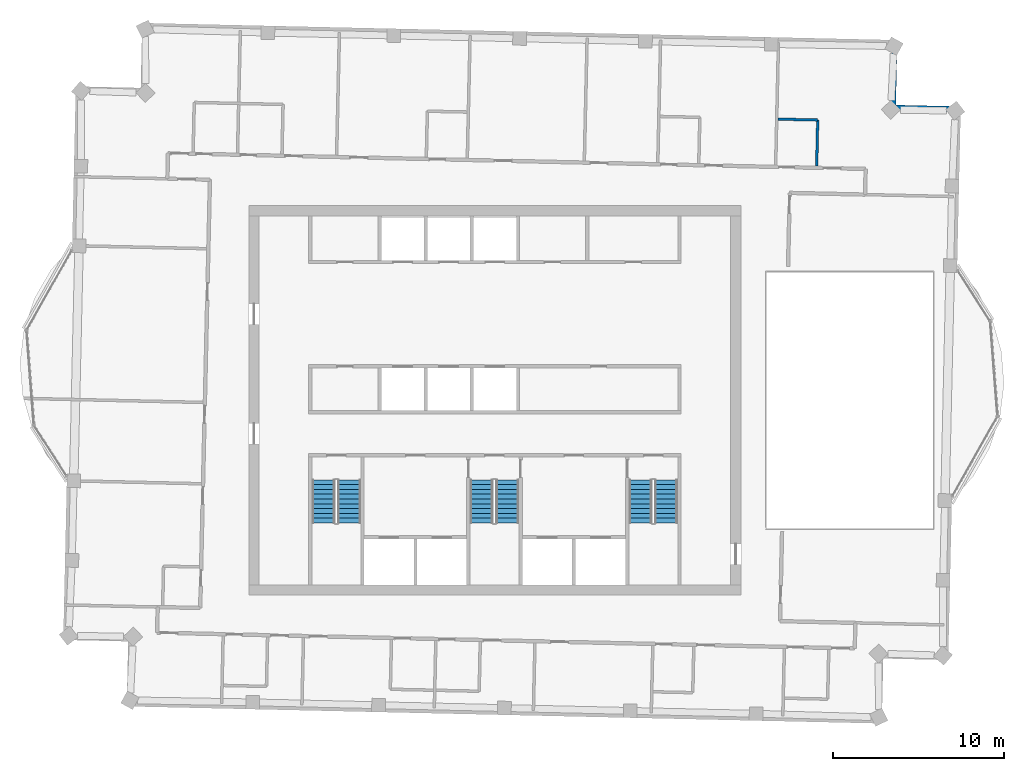
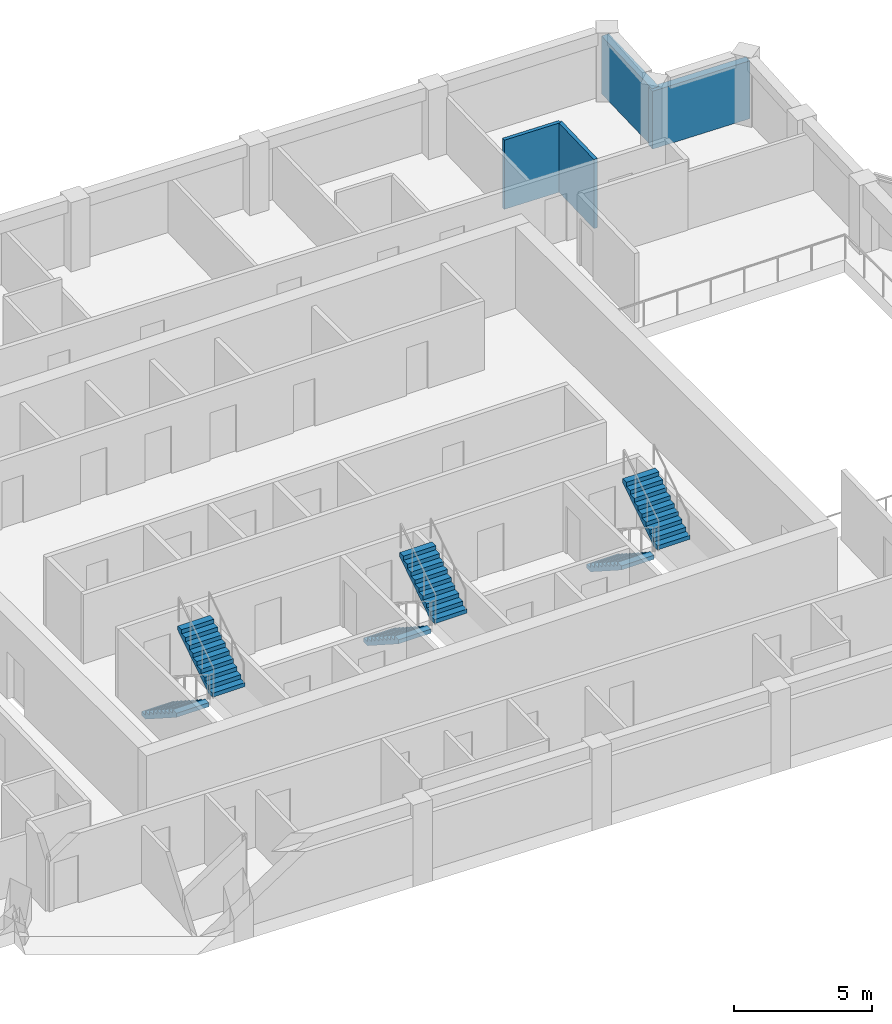
# One storey, part 10 of 12: 6 stair flights, 4 walls, 3 elements without a shape of their own.
"""IFC4 building model written with IfcOpenShell, lengths in metres."""

import ifcopenshell
import ifcopenshell.guid

model = None  # the IFC model being written
_history = None  # IfcOwnerHistory: only IFC2X3 demands one
_inside = {}  # id of a spatial element -> (the spatial element, [elements in it])
_under = {}  # id of a project, library or spatial element -> (it, [spatial elements below it])
_declared = {}  # id of a project -> (the project, [libraries it declares])
_typed = {}  # id of a type object -> (the type object, [elements of that type])
_made_of = {}  # id of a material, layer set ... -> (it, [elements and type objects made of it])


def new_model(schema):
    """Start an empty IFC model of exactly this schema.

    Asked for "IFC4X3", IfcOpenShell would pick the latest addendum, in which some entities
    have other attributes; the version numbers below select the first issue.
    IFC2X3 requires an IfcOwnerHistory on every rooted entity: one is made here for all.
    """
    global model, _history
    if schema == "IFC4X3":
        model = ifcopenshell.file(schema_version=(4, 3, 0, 0))
    else:
        model = ifcopenshell.file(schema=schema)
    _inside.clear()
    _under.clear()
    _declared.clear()
    _typed.clear()
    _made_of.clear()
    _history = None
    if model.schema == "IFC2X3":
        org = make("IfcOrganization", Name="unknown")
        user = make(
            "IfcPersonAndOrganization",
            ThePerson=make("IfcPerson", FamilyName="unknown"),
            TheOrganization=org,
        )
        app = make(
            "IfcApplication",
            ApplicationDeveloper=org,
            Version="unknown",
            ApplicationFullName="unknown",
            ApplicationIdentifier="unknown",
        )
        _history = make(
            "IfcOwnerHistory",
            OwningUser=user,
            OwningApplication=app,
            ChangeAction="ADDED",
            CreationDate=0,
        )
    return model


def make(cls, **values):
    """One entity of the class cls with the attributes given. An attribute that is None is left unset."""
    return model.create_entity(
        cls, **{name: value for name, value in values.items() if value is not None}
    )


def rooted(cls, **values):
    """An entity with a GlobalId (a new one), such as an element, a storey or a relation."""
    return make(cls, GlobalId=ifcopenshell.guid.new(), OwnerHistory=_history, **values)


def si_unit(unit_type, name, prefix=None):
    """IfcSIUnit, for example si_unit("LENGTHUNIT", "METRE", prefix="MILLI")."""
    return make("IfcSIUnit", UnitType=unit_type, Prefix=prefix, Name=name)


def assignment(units):
    """IfcUnitAssignment: the units of a project."""
    return None if units is None else make("IfcUnitAssignment", Units=units)


def point(xyz):
    """IfcCartesianPoint."""
    return None if xyz is None else make("IfcCartesianPoint", Coordinates=xyz)


def direction(xyz):
    """IfcDirection."""
    return None if xyz is None else make("IfcDirection", DirectionRatios=xyz)


def frame(location, z_axis=None, x_axis=None):
    """IfcAxis2Placement3D, a coordinate frame: its origin and axes. An axis left out is left unset."""
    return make(
        "IfcAxis2Placement3D",
        Location=point(location),
        Axis=direction(z_axis),
        RefDirection=direction(x_axis),
    )


def frame_2d(location, x_axis=None):
    """IfcAxis2Placement2D, a coordinate frame in the plane: its origin and x axis."""
    return make(
        "IfcAxis2Placement2D", Location=point(location), RefDirection=direction(x_axis)
    )


def origin():
    """The frame at (0, 0, 0) with its axes left unset."""
    return frame((0.0, 0.0, 0.0))


def place(relative_to, where):
    """IfcLocalPlacement: puts the frame where relative to a parent placement (None: the world)."""
    return make(
        "IfcLocalPlacement", PlacementRelTo=relative_to, RelativePlacement=where
    )


def context(
    kind, dimensions, precision=None, world=None, true_north=None, identifier=None
):
    """IfcGeometricRepresentationContext, for example the 3D "Model" context."""
    return make(
        "IfcGeometricRepresentationContext",
        ContextIdentifier=identifier,
        ContextType=kind,
        CoordinateSpaceDimension=dimensions,
        Precision=precision,
        WorldCoordinateSystem=world,
        TrueNorth=true_north,
    )


def subcontext(parent, identifier, kind, view, scale=None):
    """IfcGeometricRepresentationSubContext, for example "Body" below "Model"."""
    return make(
        "IfcGeometricRepresentationSubContext",
        ContextIdentifier=identifier,
        ContextType=kind,
        ParentContext=parent,
        TargetScale=scale,
        TargetView=view,
    )


def project(units=None, contexts=None):
    """IfcProject with its units and contexts."""
    return rooted(
        "IfcProject",
        Name="project",
        RepresentationContexts=contexts,
        UnitsInContext=assignment(units),
    )


def spatial(cls, under=None, at=None, **own):
    """A site, building, storey or space (cls), placed at a placement, below another one or the project."""
    s = rooted(cls, ObjectPlacement=at, **own)
    if under is not None:
        _under.setdefault(under.id(), (under, []))[1].append(s)
    return s


def polyline(points):
    """IfcPolyline through the points."""
    return make("IfcPolyline", Points=[point(p) for p in points])


def profile(cls, at=None, kind="AREA", **sizes):
    """A parametric profile (cls). Its sizes go by their IFC names, for example OverallWidth=200.0."""
    return make(cls, ProfileType=kind, Position=at, **sizes)


def rectangle(**sizes):
    """IfcRectangleProfileDef."""
    return profile("IfcRectangleProfileDef", **sizes)


def outline(outer, holes=None, kind="AREA"):
    """IfcArbitraryClosedProfileDef: a profile drawn as a closed curve; with holes, ...WithVoids."""
    if holes is None:
        return make("IfcArbitraryClosedProfileDef", ProfileType=kind, OuterCurve=outer)
    return make(
        "IfcArbitraryProfileDefWithVoids",
        ProfileType=kind,
        OuterCurve=outer,
        InnerCurves=holes,
    )


def extrude(swept, where, along, depth):
    """IfcExtrudedAreaSolid: the profile swept, set in the frame where, extruded along a direction by depth."""
    return make(
        "IfcExtrudedAreaSolid",
        SweptArea=swept,
        Position=where,
        ExtrudedDirection=direction(along),
        Depth=depth,
    )


def shape(context_of_items, identifier, shape_type, items):
    """IfcShapeRepresentation: the items that make up one representation, for example the "Body"."""
    return make(
        "IfcShapeRepresentation",
        ContextOfItems=context_of_items,
        RepresentationIdentifier=identifier,
        RepresentationType=shape_type,
        Items=items,
    )


def material(Name=None, Category=None):
    """IfcMaterial."""
    return make("IfcMaterial", Name=Name, Category=Category)


def layer(
    of_material, thickness, ventilated=None, Name=None, Category=None, Priority=None
):
    """IfcMaterialLayer: one layer of a wall or slab, of a material (None: an air gap)."""
    return make(
        "IfcMaterialLayer",
        Material=of_material,
        LayerThickness=thickness,
        IsVentilated=ventilated,
        Name=Name,
        Category=Category,
        Priority=Priority,
    )


def layer_set(layers, Name=None):
    """IfcMaterialLayerSet."""
    return make("IfcMaterialLayerSet", MaterialLayers=layers, LayerSetName=Name)


def made_of(thing, what):
    """Note that an element or type object is made of a material, layer set ...; save() writes the relation."""
    if what is not None:
        _made_of.setdefault(what.id(), (what, []))[1].append(thing)
    return thing


def type_object(cls, material=None, **own):
    """A type object (cls), such as IfcWallType, which elements share."""
    return made_of(rooted(cls, **own), material)


def element(
    cls,
    number,
    at=None,
    inside=None,
    cuts=None,
    type_object=None,
    material=None,
    context=None,
    identifier="Body",
    shape_type=None,
    held_by="IfcProductDefinitionShape",
    body=None,
    shapes=None,
    **own,
):
    """One element of the class cls, such as IfcWall. Its Tag is "e" and its number.

    at: its placement. inside: the storey or other place that contains it. cuts: it is an
    opening in that element (IfcRelVoidsElement). A single representation is given by context,
    identifier, shape_type and body (its items); several are given by shapes. held_by: the class
    of the entity that holds the representations. save() writes the other relations.
    """
    e = rooted(cls, Tag="e%d" % number, ObjectPlacement=at, **own)
    if body is not None:
        shapes = [shape(context, identifier, shape_type, body)]
    if shapes is not None:
        e.Representation = make(held_by, Representations=shapes)
    if inside is not None:
        _inside.setdefault(inside.id(), (inside, []))[1].append(e)
    if cuts is not None:
        rooted(
            "IfcRelVoidsElement", RelatingBuildingElement=cuts, RelatedOpeningElement=e
        )
    if type_object is not None:
        _typed.setdefault(type_object.id(), (type_object, []))[1].append(e)
    return made_of(e, material)


def aggregate(whole, parts):
    """IfcRelAggregates: a whole, such as a stair, and the parts it consists of."""
    return rooted("IfcRelAggregates", RelatingObject=whole, RelatedObjects=parts)


def save(model, path):
    """Write the relations noted so far, then the file.

    IfcRelAggregates (storeys below a building ...), IfcRelContainedInSpatialStructure (elements
    in a storey), IfcRelDefinesByType, IfcRelAssociatesMaterial and IfcRelDeclares: one each for
    every whole, place, type object, material and project.
    """
    for whole, parts in _under.values():
        aggregate(whole, parts)
    for where, things in _inside.values():
        rooted(
            "IfcRelContainedInSpatialStructure",
            RelatedElements=things,
            RelatingStructure=where,
        )
    for kind, things in _typed.values():
        rooted("IfcRelDefinesByType", RelatedObjects=things, RelatingType=kind)
    for what, things in _made_of.values():
        rooted("IfcRelAssociatesMaterial", RelatedObjects=things, RelatingMaterial=what)
    for by, libraries in _declared.values():
        rooted("IfcRelDeclares", RelatingContext=by, RelatedDefinitions=libraries)
    model.write(path)


model = new_model("IFC4")

# Units and contexts
model_context = context("Model", 3, precision=1e-05, world=origin(), true_north=direction((0.0, 1.0)))
body_context = subcontext(model_context, "Body", "Model", "MODEL_VIEW")
ifc_project = project(units=[si_unit("LENGTHUNIT", "METRE"), si_unit("AREAUNIT", "SQUARE_METRE"), si_unit("VOLUMEUNIT", "CUBIC_METRE"), si_unit("PLANEANGLEUNIT", "RADIAN"), si_unit("MASSUNIT", "GRAM", prefix="KILO")], contexts=[model_context])

# Site, building, storey
site_placement = place(None, origin())
site = spatial("IfcSite", under=ifc_project, at=site_placement, CompositionType="ELEMENT")
building_placement = place(site_placement, origin())
building = spatial("IfcBuilding", under=site, at=building_placement, Name="Mangrove Gate Tower", CompositionType="ELEMENT")
storey_placement = place(building_placement, frame((0.0, 0.0, 342.5)))
storey = spatial("IfcBuildingStorey", under=building, at=storey_placement, Name="L87", CompositionType="ELEMENT", Elevation=342.5)

# Walls
ifc_material_1 = material(Name="Limestone", Category="masonry")
ifc_layer_1 = layer(ifc_material_1, 0.0400390625, Name="Limestone cladding")
ifc_material_2 = material(Name="Ventilated air gap")
ifc_layer_2 = layer(ifc_material_2, 0.0400390625, Name="Ventilated cavity")
ifc_material_3 = material(Name="Mineral wool insulation")
ifc_layer_3 = layer(ifc_material_3, 0.06005859375, Name="Insulation")
ifc_material_4 = material(Name="Breather membrane")
ifc_layer_4 = layer(ifc_material_4, 0.001953125, Name="Breather membrane")
ifc_material_5 = material(Name="Concrete C20/25 blockwork", Category="masonry")
ifc_layer_5 = layer(ifc_material_5, 0.14990234375, Name="Blockwork backing wall")
ifc_material_6 = material(Name="Gypsum plaster")
ifc_layer_6 = layer(ifc_material_6, 0.008056640625, Name="Internal plaster")
ifc_layer_set_1 = layer_set([ifc_layer_1, ifc_layer_2, ifc_layer_3, ifc_layer_4, ifc_layer_5, ifc_layer_6], Name="External wall 300 limestone cladding")
wall_type_1 = type_object("IfcWallType", Name="External wall 300 limestone cladding", PredefinedType="SOLIDWALL", material=ifc_layer_set_1)
wall_1_placement = place(storey_placement, frame((27.10693359375, 17.052978515625, 0.0), z_axis=(0.0, 0.0, 1.0), x_axis=(-0.999741835545, 0.022721405353, 0.0)))
element("IfcWall", 1, at=wall_1_placement, inside=storey, type_object=wall_type_1, Name="WALL-L87-N3s1", PredefinedType="SOLIDWALL", context=body_context, shape_type="SweptSolid", body=[
    extrude(rectangle(XDim=4.0078125, YDim=0.300048828125, at=frame_2d((2.00390625, 0.0))), origin(), (0.0, 0.0, 1.0), 2.550048828125),
])
wall_2_placement = place(storey_placement, frame((23.30810546875, 17.138916015625, 0.0), z_axis=(0.0, 0.0, 1.0), x_axis=(0.022614868993, 0.999744251146, 0.0)))
element("IfcWall", 2, at=wall_2_placement, inside=storey, type_object=wall_type_1, Name="WALL-L87-E4", PredefinedType="SOLIDWALL", context=body_context, shape_type="SweptSolid", body=[
    extrude(rectangle(XDim=3.800048828125, YDim=0.300048828125, at=frame_2d((1.89990234375, 0.0))), origin(), (0.0, 0.0, 1.0), 2.550048828125),
])
ifc_material_7 = material(Name="Gypsum board on steel stud, EI 60", Category="steel")
ifc_layer_7 = layer(ifc_material_7, 0.14990234375)
ifc_layer_set_2 = layer_set([ifc_layer_7], Name="Party wall 150 EI 60")
wall_type_2 = type_object("IfcWallType", Name="Party wall 150 EI 60", PredefinedType="PARTITIONING", material=ifc_layer_set_2)
wall_3_placement = place(storey_placement, frame((18.8291015625, 13.714111328125, 0.0), z_axis=(0.0, 0.0, 1.0), x_axis=(0.022518033722, 0.999746436932, 0.0)))
element("IfcWall", 3, at=wall_3_placement, inside=storey, type_object=wall_type_2, Name="WALL-L87-048", PredefinedType="PARTITIONING", context=body_context, shape_type="SweptSolid", body=[
    extrude(rectangle(XDim=2.69970703125, YDim=0.14990234375, at=frame_2d((1.349853515625, 0.0))), origin(), (0.0, 0.0, 1.0), 3.050048828125),
])
wall_4_placement = place(storey_placement, frame((16.56591796875, 16.4619140625, 0.0), z_axis=(0.0, 0.0, 1.0), x_axis=(0.999740260747, -0.02279059109, 0.0)))
element("IfcWall", 4, at=wall_4_placement, inside=storey, type_object=wall_type_2, Name="WALL-L87-051", PredefinedType="PARTITIONING", context=body_context, shape_type="SweptSolid", body=[
    extrude(rectangle(XDim=2.324462890625, YDim=0.14990234375, at=frame_2d((1.162109375, 0.0))), origin(), (0.0, 0.0, 1.0), 3.050048828125),
])

# Stair, stair flights
ifc_material_8 = material(Name="Concrete C40/50", Category="concrete")
stair_type = type_object("IfcStairType", Name="Core stair 1350", PredefinedType="HALF_TURN_STAIR", material=ifc_material_8)
stair_1_placement = place(storey_placement, origin())
stair_1 = element("IfcStair", 5, at=stair_1_placement, inside=storey, type_object=stair_type, Name="L87 Stair 1", PredefinedType="HALF_TURN_STAIR")
ifc_material_9 = material(Name="Concrete C40/50", Category="concrete")
stair_flight_type = type_object("IfcStairFlightType", Name="Core stair flight 1350", PredefinedType="STRAIGHT", material=ifc_material_9)
stair_flight_1_placement = place(storey_placement, frame((-10.02490234375, -4.64990234375, 0.0), z_axis=(0.0, 0.0, 1.0), x_axis=(0.0, -1.0, 0.0)))
stair_flight_1 = element("IfcStairFlight", 6, at=stair_flight_1_placement, type_object=stair_flight_type, Name="ST1 flight 1", NumberOfRisers=10, NumberOfTreads=9, PredefinedType="STRAIGHT", RiserHeight=0.18, TreadLength=0.28, context=body_context, shape_type="SweptSolid", body=[
    extrude(outline(polyline([(0.0, 0.0), (0.0, 0.179931640625), (0.280029296875, 0.179931640625), (0.280029296875, 0.360107421875), (0.56005859375, 0.360107421875), (0.56005859375, 0.5400390625), (0.840087890625, 0.5400390625), (0.840087890625, 0.719970703125), (1.1201171875, 0.719970703125), (1.1201171875, 0.89990234375), (1.39990234375, 0.89990234375), (1.39990234375, 1.080078125), (1.679931640625, 1.080078125), (1.679931640625, 1.260009765625), (1.9599609375, 1.260009765625), (1.9599609375, 1.43994140625), (2.239990234375, 1.43994140625), (2.239990234375, 1.6201171875), (2.52001953125, 1.6201171875), (2.52001953125, 1.800048828125), (2.52001953125, 1.44189453125), (0.277099609375, 0.0), (0.0, 0.0)])), frame((0.0, 0.675048828125, 0.0), z_axis=(0.0, -1.0, 0.0), x_axis=(1.0, 0.0, 0.0)), (0.0, 0.0, 1.0), 1.35009765625),
])
stair_flight_2_placement = place(storey_placement, frame((-8.52490234375, -7.169921875, 1.800048828125), z_axis=(0.0, 0.0, 1.0), x_axis=(0.0, 1.0, 0.0)))
stair_flight_2 = element("IfcStairFlight", 7, at=stair_flight_2_placement, type_object=stair_flight_type, Name="ST1 flight 2", NumberOfRisers=10, NumberOfTreads=9, PredefinedType="STRAIGHT", RiserHeight=0.18, TreadLength=0.28, context=body_context, shape_type="SweptSolid", body=[
    extrude(outline(polyline([(0.0, 0.0), (0.0, 0.179931640625), (0.280029296875, 0.179931640625), (0.280029296875, 0.360107421875), (0.56005859375, 0.360107421875), (0.56005859375, 0.5400390625), (0.840087890625, 0.5400390625), (0.840087890625, 0.719970703125), (1.1201171875, 0.719970703125), (1.1201171875, 0.89990234375), (1.39990234375, 0.89990234375), (1.39990234375, 1.080078125), (1.679931640625, 1.080078125), (1.679931640625, 1.260009765625), (1.9599609375, 1.260009765625), (1.9599609375, 1.43994140625), (2.239990234375, 1.43994140625), (2.239990234375, 1.6201171875), (2.52001953125, 1.6201171875), (2.52001953125, 1.800048828125), (2.52001953125, 1.44189453125), (0.277099609375, 0.0), (0.0, 0.0)])), frame((0.0, 0.675048828125, 0.0), z_axis=(0.0, -1.0, 0.0), x_axis=(1.0, 0.0, 0.0)), (0.0, 0.0, 1.0), 1.35009765625),
])
aggregate(stair_1, [stair_flight_1, stair_flight_2])

stair_2_placement = place(storey_placement, origin())
stair_2 = element("IfcStair", 8, at=stair_2_placement, inside=storey, type_object=stair_type, Name="L87 Stair 2", PredefinedType="HALF_TURN_STAIR")
stair_flight_3_placement = place(storey_placement, frame((-0.77490234375, -4.64990234375, 0.0), z_axis=(0.0, 0.0, 1.0), x_axis=(0.0, -1.0, 0.0)))
stair_flight_3 = element("IfcStairFlight", 9, at=stair_flight_3_placement, type_object=stair_flight_type, Name="ST2 flight 1", NumberOfRisers=10, NumberOfTreads=9, PredefinedType="STRAIGHT", RiserHeight=0.18, TreadLength=0.28, context=body_context, shape_type="SweptSolid", body=[
    extrude(outline(polyline([(0.0, 0.0), (0.0, 0.179931640625), (0.280029296875, 0.179931640625), (0.280029296875, 0.360107421875), (0.56005859375, 0.360107421875), (0.56005859375, 0.5400390625), (0.840087890625, 0.5400390625), (0.840087890625, 0.719970703125), (1.1201171875, 0.719970703125), (1.1201171875, 0.89990234375), (1.39990234375, 0.89990234375), (1.39990234375, 1.080078125), (1.679931640625, 1.080078125), (1.679931640625, 1.260009765625), (1.9599609375, 1.260009765625), (1.9599609375, 1.43994140625), (2.239990234375, 1.43994140625), (2.239990234375, 1.6201171875), (2.52001953125, 1.6201171875), (2.52001953125, 1.800048828125), (2.52001953125, 1.44189453125), (0.277099609375, 0.0), (0.0, 0.0)])), frame((0.0, 0.675048828125, 0.0), z_axis=(0.0, -1.0, 0.0), x_axis=(1.0, 0.0, 0.0)), (0.0, 0.0, 1.0), 1.35009765625),
])
stair_flight_4_placement = place(storey_placement, frame((0.72509765625, -7.169921875, 1.800048828125), z_axis=(0.0, 0.0, 1.0), x_axis=(0.0, 1.0, 0.0)))
stair_flight_4 = element("IfcStairFlight", 10, at=stair_flight_4_placement, type_object=stair_flight_type, Name="ST2 flight 2", NumberOfRisers=10, NumberOfTreads=9, PredefinedType="STRAIGHT", RiserHeight=0.18, TreadLength=0.28, context=body_context, shape_type="SweptSolid", body=[
    extrude(outline(polyline([(0.0, 0.0), (0.0, 0.179931640625), (0.280029296875, 0.179931640625), (0.280029296875, 0.360107421875), (0.56005859375, 0.360107421875), (0.56005859375, 0.5400390625), (0.840087890625, 0.5400390625), (0.840087890625, 0.719970703125), (1.1201171875, 0.719970703125), (1.1201171875, 0.89990234375), (1.39990234375, 0.89990234375), (1.39990234375, 1.080078125), (1.679931640625, 1.080078125), (1.679931640625, 1.260009765625), (1.9599609375, 1.260009765625), (1.9599609375, 1.43994140625), (2.239990234375, 1.43994140625), (2.239990234375, 1.6201171875), (2.52001953125, 1.6201171875), (2.52001953125, 1.800048828125), (2.52001953125, 1.44189453125), (0.277099609375, 0.0), (0.0, 0.0)])), frame((0.0, 0.675048828125, 0.0), z_axis=(0.0, -1.0, 0.0), x_axis=(1.0, 0.0, 0.0)), (0.0, 0.0, 1.0), 1.35009765625),
])
aggregate(stair_2, [stair_flight_3, stair_flight_4])

stair_3_placement = place(storey_placement, origin())
stair_3 = element("IfcStair", 11, at=stair_3_placement, inside=storey, type_object=stair_type, Name="L87 Stair 3", PredefinedType="HALF_TURN_STAIR")
stair_flight_5_placement = place(storey_placement, frame((8.52490234375, -4.64990234375, 0.0), z_axis=(0.0, 0.0, 1.0), x_axis=(0.0, -1.0, 0.0)))
stair_flight_5 = element("IfcStairFlight", 12, at=stair_flight_5_placement, type_object=stair_flight_type, Name="ST3 flight 1", NumberOfRisers=10, NumberOfTreads=9, PredefinedType="STRAIGHT", RiserHeight=0.18, TreadLength=0.28, context=body_context, shape_type="SweptSolid", body=[
    extrude(outline(polyline([(0.0, 0.0), (0.0, 0.179931640625), (0.280029296875, 0.179931640625), (0.280029296875, 0.360107421875), (0.56005859375, 0.360107421875), (0.56005859375, 0.5400390625), (0.840087890625, 0.5400390625), (0.840087890625, 0.719970703125), (1.1201171875, 0.719970703125), (1.1201171875, 0.89990234375), (1.39990234375, 0.89990234375), (1.39990234375, 1.080078125), (1.679931640625, 1.080078125), (1.679931640625, 1.260009765625), (1.9599609375, 1.260009765625), (1.9599609375, 1.43994140625), (2.239990234375, 1.43994140625), (2.239990234375, 1.6201171875), (2.52001953125, 1.6201171875), (2.52001953125, 1.800048828125), (2.52001953125, 1.44189453125), (0.277099609375, 0.0), (0.0, 0.0)])), frame((0.0, 0.675048828125, 0.0), z_axis=(0.0, -1.0, 0.0), x_axis=(1.0, 0.0, 0.0)), (0.0, 0.0, 1.0), 1.35009765625),
])
stair_flight_6_placement = place(storey_placement, frame((10.02490234375, -7.169921875, 1.800048828125), z_axis=(0.0, 0.0, 1.0), x_axis=(0.0, 1.0, 0.0)))
stair_flight_6 = element("IfcStairFlight", 13, at=stair_flight_6_placement, type_object=stair_flight_type, Name="ST3 flight 2", NumberOfRisers=10, NumberOfTreads=9, PredefinedType="STRAIGHT", RiserHeight=0.18, TreadLength=0.28, context=body_context, shape_type="SweptSolid", body=[
    extrude(outline(polyline([(0.0, 0.0), (0.0, 0.179931640625), (0.280029296875, 0.179931640625), (0.280029296875, 0.360107421875), (0.56005859375, 0.360107421875), (0.56005859375, 0.5400390625), (0.840087890625, 0.5400390625), (0.840087890625, 0.719970703125), (1.1201171875, 0.719970703125), (1.1201171875, 0.89990234375), (1.39990234375, 0.89990234375), (1.39990234375, 1.080078125), (1.679931640625, 1.080078125), (1.679931640625, 1.260009765625), (1.9599609375, 1.260009765625), (1.9599609375, 1.43994140625), (2.239990234375, 1.43994140625), (2.239990234375, 1.6201171875), (2.52001953125, 1.6201171875), (2.52001953125, 1.800048828125), (2.52001953125, 1.44189453125), (0.277099609375, 0.0), (0.0, 0.0)])), frame((0.0, 0.675048828125, 0.0), z_axis=(0.0, -1.0, 0.0), x_axis=(1.0, 0.0, 0.0)), (0.0, 0.0, 1.0), 1.35009765625),
])
aggregate(stair_3, [stair_flight_5, stair_flight_6])

save(model, "model.ifc")
